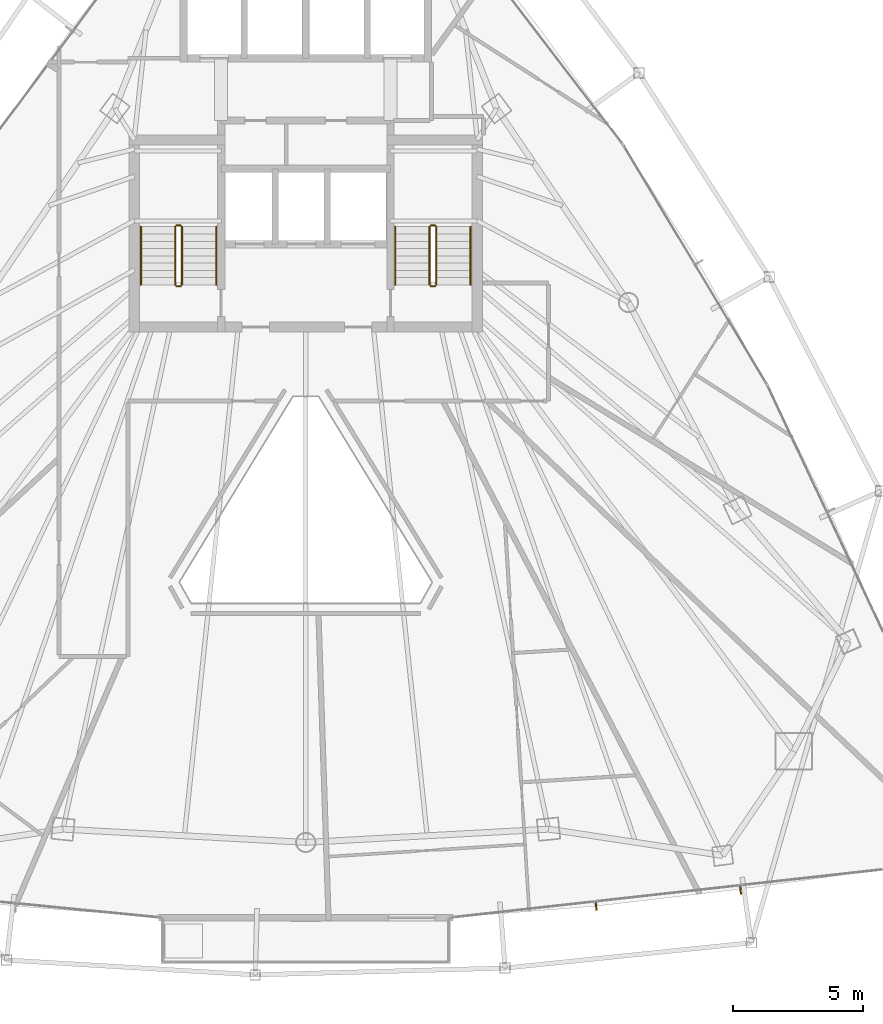
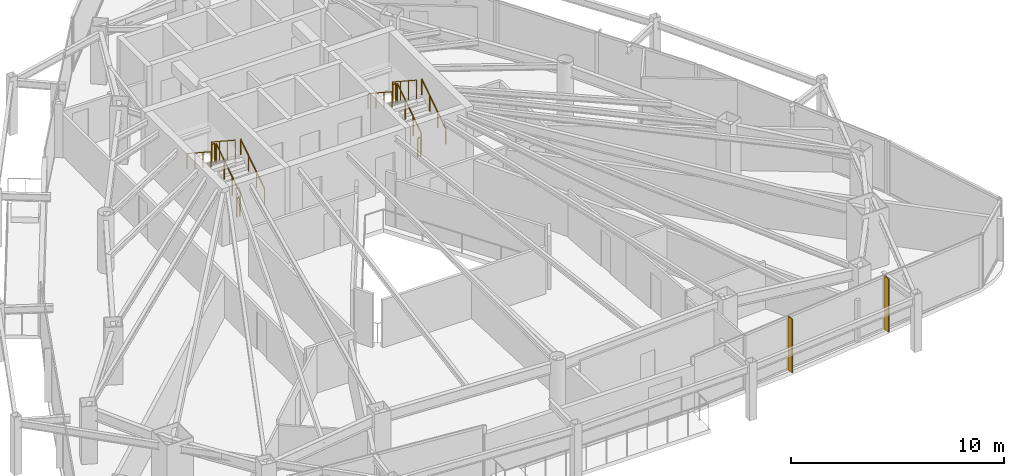
# One storey, part 28 of 29: 12 railings, 2 shading devices.
"""IFC4 building model written with IfcOpenShell, lengths in metres."""

from ifc_helpers import new_model, si_unit, direction, frame, origin, origin_2d, place, context, subcontext, project, spatial, rectangle, circle, extrude, material, layer, layer_set, type_object, element, save


model = new_model("IFC4")

# Units and contexts
model_context = context("Model", 3, precision=1e-05, world=origin(), true_north=direction((0.0, 1.0)))
body_context = subcontext(model_context, "Body", "Model", "MODEL_VIEW")
ifc_project = project(units=[si_unit("LENGTHUNIT", "METRE"), si_unit("AREAUNIT", "SQUARE_METRE"), si_unit("VOLUMEUNIT", "CUBIC_METRE"), si_unit("PLANEANGLEUNIT", "RADIAN"), si_unit("MASSUNIT", "GRAM", prefix="KILO")], contexts=[model_context])

# Site, building, storey
site_placement = place(None, origin())
site = spatial("IfcSite", under=ifc_project, at=site_placement, CompositionType="ELEMENT")
building_placement = place(site_placement, origin())
building = spatial("IfcBuilding", under=site, at=building_placement, Name="Orvanel Arch Residences", CompositionType="ELEMENT")
storey_placement = place(building_placement, frame((0.0, 0.0, 173.75)))
storey = spatial("IfcBuildingStorey", under=building, at=storey_placement, Name="L49", CompositionType="ELEMENT", Elevation=173.75)

# Shading devices
ifc_material_1 = material(Name="Bronze-anodised aluminium AA6063-T6", Category="aluminium")
ifc_layer = layer(ifc_material_1, 0.054931640625)
ifc_layer_set = layer_set([ifc_layer], Name="Bronze-anodised aluminium AA6063-T6")
shading_device_type = type_object("IfcShadingDeviceType", Name="FIN-BRZ-320", PredefinedType="USERDEFINED", material=ifc_layer_set)
for number, where, z_axis, x_axis, name in (
    (1, (44.18408203125, 4.382080078125, 0.0), (0.0, 0.0, 1.0), (0.111468932206, -0.993767919161, 0.0), "L49 Anodised Bronze Mullion FIN 01"),
    (2, (49.7490234375, 5.001953125, 0.0), (0.0, 0.0, 1.0), (0.111468932206, -0.993767919161, 0.0), "L49 Anodised Bronze Mullion FIN 02"),
):
    element("IfcShadingDevice", number, at=place(storey_placement, frame(where, z_axis=z_axis, x_axis=x_axis)), inside=storey, type_object=shading_device_type, Name=name, ObjectType="FIN", PredefinedType="USERDEFINED", context=body_context, shape_type="SweptSolid", body=[
        extrude(rectangle(XDim=0.320068359375, YDim=0.054931640625, at=origin_2d()), origin(), (0.0, 0.0, 1.0), 3.06005859375),
    ])

# Railings
ifc_material_2 = material(Name="Structural steel AS/NZS 1163 C350L0 (Grade 350)", Category="steel")
railing_type_1 = type_object("IfcRailingType", Name="RL-STAIR-GUARD", PredefinedType="GUARDRAIL", material=ifc_material_2)
railing_1_placement = place(storey_placement, frame((28.22998046875, 28.320068359375, 0.183349609375)))
element("IfcRailing", 3, at=railing_1_placement, inside=storey, type_object=railing_type_1, Name="L49 ST-1 stair guard 1", PredefinedType="GUARDRAIL", context=body_context, shape_type="SweptSolid", body=[
    extrude(circle(Radius=0.02392578125, at=origin_2d()), frame((0.0, 0.001220703125, 1.076904296875), z_axis=(0.0, 0.836636935527, 0.547757827979), x_axis=(-1.0, 0.0, 0.0)), (0.0, 0.0, 1.0), 2.67431640625),
    extrude(circle(Radius=0.02099609375, at=origin_2d()), origin(), (0.0, 0.0, 1.0), 1.050048828125),
    extrude(circle(Radius=0.02099609375, at=origin_2d()), frame((0.0, 0.74658203125, 0.48876953125)), (0.0, 0.0, 1.0), 1.050048828125),
    extrude(circle(Radius=0.02099609375, at=origin_2d()), frame((0.0, 1.493408203125, 0.977783203125)), (0.0, 0.0, 1.0), 1.050048828125),
    extrude(circle(Radius=0.02099609375, at=origin_2d()), frame((0.0, 2.239990234375, 1.466552734375)), (0.0, 0.0, 1.0), 1.050048828125),
])
railing_2_placement = place(storey_placement, frame((28.179931640625, 30.610107421875, 1.64990234375)))
element("IfcRailing", 4, at=railing_2_placement, inside=storey, type_object=railing_type_1, Name="L49 ST-1 stair guard 2", PredefinedType="GUARDRAIL", context=body_context, shape_type="SweptSolid", body=[
    extrude(circle(Radius=0.02392578125, at=origin_2d()), frame((-0.00146484375, 0.0, 1.076171875), z_axis=(-1.0, 0.0, 0.0), x_axis=(0.0, -1.0, 0.0)), (0.0, 0.0, 1.0), 0.156982421875),
    extrude(circle(Radius=0.02099609375, at=origin_2d()), origin(), (0.0, 0.0, 1.0), 1.050048828125),
    extrude(circle(Radius=0.02099609375, at=origin_2d()), frame((-0.159912109375, 0.0, 0.0)), (0.0, 0.0, 1.0), 1.050048828125),
])
railing_3_placement = place(storey_placement, frame((27.969970703125, 30.56005859375, 1.833251953125)))
element("IfcRailing", 5, at=railing_3_placement, inside=storey, type_object=railing_type_1, Name="L49 ST-1 stair guard 3", PredefinedType="GUARDRAIL", context=body_context, shape_type="SweptSolid", body=[
    extrude(circle(Radius=0.02392578125, at=origin_2d()), frame((0.0, -0.001220703125, 1.076904296875), z_axis=(0.0, -0.836595146698, 0.547821650285), x_axis=(1.0, 0.0, 0.0)), (0.0, 0.0, 1.0), 2.674560546875),
    extrude(circle(Radius=0.02099609375, at=origin_2d()), origin(), (0.0, 0.0, 1.0), 1.050048828125),
    extrude(circle(Radius=0.02099609375, at=origin_2d()), frame((0.0, -0.74658203125, 0.489013671875)), (0.0, 0.0, 1.0), 1.050048828125),
    extrude(circle(Radius=0.02099609375, at=origin_2d()), frame((0.0, -1.493408203125, 0.977783203125)), (0.0, 0.0, 1.0), 1.050048828125),
    extrude(circle(Radius=0.02099609375, at=origin_2d()), frame((0.0, -2.239990234375, 1.466796875)), (0.0, 0.0, 1.0), 1.050048828125),
])
railing_4_placement = place(storey_placement, frame((28.179931640625, 28.27001953125, 0.0)))
element("IfcRailing", 6, at=railing_4_placement, inside=storey, type_object=railing_type_1, Name="L49 ST-1 stair guard 4", PredefinedType="GUARDRAIL", context=body_context, shape_type="SweptSolid", body=[
    extrude(circle(Radius=0.02392578125, at=origin_2d()), frame((-0.00146484375, 0.0, 1.076171875), z_axis=(-1.0, 0.0, 0.0), x_axis=(0.0, -1.0, 0.0)), (0.0, 0.0, 1.0), 0.156982421875),
    extrude(circle(Radius=0.02099609375, at=origin_2d()), origin(), (0.0, 0.0, 1.0), 1.050048828125),
    extrude(circle(Radius=0.02099609375, at=origin_2d()), frame((-0.159912109375, 0.0, 0.0)), (0.0, 0.0, 1.0), 1.050048828125),
])
railing_5_placement = place(storey_placement, frame((38.030029296875, 28.320068359375, 0.183349609375)))
element("IfcRailing", 7, at=railing_5_placement, inside=storey, type_object=railing_type_1, Name="L49 ST-2 stair guard 1", PredefinedType="GUARDRAIL", context=body_context, shape_type="SweptSolid", body=[
    extrude(circle(Radius=0.02392578125, at=origin_2d()), frame((0.0, 0.001220703125, 1.076904296875), z_axis=(0.0, 0.836636935527, 0.547757827979), x_axis=(-1.0, 0.0, 0.0)), (0.0, 0.0, 1.0), 2.67431640625),
    extrude(circle(Radius=0.02099609375, at=origin_2d()), origin(), (0.0, 0.0, 1.0), 1.050048828125),
    extrude(circle(Radius=0.02099609375, at=origin_2d()), frame((0.0, 0.74658203125, 0.48876953125)), (0.0, 0.0, 1.0), 1.050048828125),
    extrude(circle(Radius=0.02099609375, at=origin_2d()), frame((0.0, 1.493408203125, 0.977783203125)), (0.0, 0.0, 1.0), 1.050048828125),
    extrude(circle(Radius=0.02099609375, at=origin_2d()), frame((0.0, 2.239990234375, 1.466552734375)), (0.0, 0.0, 1.0), 1.050048828125),
])
railing_6_placement = place(storey_placement, frame((37.97998046875, 30.610107421875, 1.64990234375)))
element("IfcRailing", 8, at=railing_6_placement, inside=storey, type_object=railing_type_1, Name="L49 ST-2 stair guard 2", PredefinedType="GUARDRAIL", context=body_context, shape_type="SweptSolid", body=[
    extrude(circle(Radius=0.02392578125, at=origin_2d()), frame((-0.00146484375, 0.0, 1.076171875), z_axis=(-1.0, 0.0, 0.0), x_axis=(0.0, -1.0, 0.0)), (0.0, 0.0, 1.0), 0.156982421875),
    extrude(circle(Radius=0.02099609375, at=origin_2d()), origin(), (0.0, 0.0, 1.0), 1.050048828125),
    extrude(circle(Radius=0.02099609375, at=origin_2d()), frame((-0.159912109375, 0.0, 0.0)), (0.0, 0.0, 1.0), 1.050048828125),
])
railing_7_placement = place(storey_placement, frame((37.77001953125, 30.56005859375, 1.833251953125)))
element("IfcRailing", 9, at=railing_7_placement, inside=storey, type_object=railing_type_1, Name="L49 ST-2 stair guard 3", PredefinedType="GUARDRAIL", context=body_context, shape_type="SweptSolid", body=[
    extrude(circle(Radius=0.02392578125, at=origin_2d()), frame((0.0, -0.001220703125, 1.076904296875), z_axis=(0.0, -0.836595146698, 0.547821650285), x_axis=(1.0, 0.0, 0.0)), (0.0, 0.0, 1.0), 2.674560546875),
    extrude(circle(Radius=0.02099609375, at=origin_2d()), origin(), (0.0, 0.0, 1.0), 1.050048828125),
    extrude(circle(Radius=0.02099609375, at=origin_2d()), frame((0.0, -0.74658203125, 0.489013671875)), (0.0, 0.0, 1.0), 1.050048828125),
    extrude(circle(Radius=0.02099609375, at=origin_2d()), frame((0.0, -1.493408203125, 0.977783203125)), (0.0, 0.0, 1.0), 1.050048828125),
    extrude(circle(Radius=0.02099609375, at=origin_2d()), frame((0.0, -2.239990234375, 1.466796875)), (0.0, 0.0, 1.0), 1.050048828125),
])
railing_8_placement = place(storey_placement, frame((37.97998046875, 28.27001953125, 0.0)))
element("IfcRailing", 10, at=railing_8_placement, inside=storey, type_object=railing_type_1, Name="L49 ST-2 stair guard 4", PredefinedType="GUARDRAIL", context=body_context, shape_type="SweptSolid", body=[
    extrude(circle(Radius=0.02392578125, at=origin_2d()), frame((-0.00146484375, 0.0, 1.076171875), z_axis=(-1.0, 0.0, 0.0), x_axis=(0.0, -1.0, 0.0)), (0.0, 0.0, 1.0), 0.156982421875),
    extrude(circle(Radius=0.02099609375, at=origin_2d()), origin(), (0.0, 0.0, 1.0), 1.050048828125),
    extrude(circle(Radius=0.02099609375, at=origin_2d()), frame((-0.159912109375, 0.0, 0.0)), (0.0, 0.0, 1.0), 1.050048828125),
])
railing_type_2 = type_object("IfcRailingType", Name="RL-STAIR-HAND", PredefinedType="HANDRAIL", material=ifc_material_2)
railing_9_placement = place(storey_placement, frame((29.550048828125, 28.320068359375, 0.183349609375)))
element("IfcRailing", 11, at=railing_9_placement, inside=storey, type_object=railing_type_2, Name="L49 ST-1 stair handrail 1", PredefinedType="HANDRAIL", context=body_context, shape_type="SweptSolid", body=[
    extrude(circle(Radius=0.02392578125, at=origin_2d()), frame((0.0, 0.001220703125, 0.876708984375), z_axis=(0.0, 0.836636935527, 0.547757827979), x_axis=(-1.0, 0.0, 0.0)), (0.0, 0.0, 1.0), 2.67431640625),
    extrude(circle(Radius=0.02099609375, at=origin_2d()), origin(), (0.0, 0.0, 1.0), 0.849853515625),
    extrude(circle(Radius=0.02099609375, at=origin_2d()), frame((0.0, 0.74658203125, 0.48876953125)), (0.0, 0.0, 1.0), 0.849853515625),
    extrude(circle(Radius=0.02099609375, at=origin_2d()), frame((0.0, 1.493408203125, 0.977783203125)), (0.0, 0.0, 1.0), 0.849853515625),
    extrude(circle(Radius=0.02099609375, at=origin_2d()), frame((0.0, 2.239990234375, 1.466552734375)), (0.0, 0.0, 1.0), 0.849853515625),
])
railing_10_placement = place(storey_placement, frame((26.64990234375, 30.56005859375, 1.833251953125)))
element("IfcRailing", 12, at=railing_10_placement, inside=storey, type_object=railing_type_2, Name="L49 ST-1 stair handrail 2", PredefinedType="HANDRAIL", context=body_context, shape_type="SweptSolid", body=[
    extrude(circle(Radius=0.02392578125, at=origin_2d()), frame((0.0, -0.001220703125, 0.876708984375), z_axis=(0.0, -0.836595146698, 0.547821650285), x_axis=(1.0, 0.0, 0.0)), (0.0, 0.0, 1.0), 2.674560546875),
    extrude(circle(Radius=0.02099609375, at=origin_2d()), origin(), (0.0, 0.0, 1.0), 0.849853515625),
    extrude(circle(Radius=0.02099609375, at=origin_2d()), frame((0.0, -0.74658203125, 0.489013671875)), (0.0, 0.0, 1.0), 0.849853515625),
    extrude(circle(Radius=0.02099609375, at=origin_2d()), frame((0.0, -1.493408203125, 0.977783203125)), (0.0, 0.0, 1.0), 0.849853515625),
    extrude(circle(Radius=0.02099609375, at=origin_2d()), frame((0.0, -2.239990234375, 1.466796875)), (0.0, 0.0, 1.0), 0.849853515625),
])
railing_11_placement = place(storey_placement, frame((39.35009765625, 28.320068359375, 0.183349609375)))
element("IfcRailing", 13, at=railing_11_placement, inside=storey, type_object=railing_type_2, Name="L49 ST-2 stair handrail 1", PredefinedType="HANDRAIL", context=body_context, shape_type="SweptSolid", body=[
    extrude(circle(Radius=0.02392578125, at=origin_2d()), frame((0.0, 0.001220703125, 0.876708984375), z_axis=(0.0, 0.836636935527, 0.547757827979), x_axis=(-1.0, 0.0, 0.0)), (0.0, 0.0, 1.0), 2.67431640625),
    extrude(circle(Radius=0.02099609375, at=origin_2d()), origin(), (0.0, 0.0, 1.0), 0.849853515625),
    extrude(circle(Radius=0.02099609375, at=origin_2d()), frame((0.0, 0.74658203125, 0.48876953125)), (0.0, 0.0, 1.0), 0.849853515625),
    extrude(circle(Radius=0.02099609375, at=origin_2d()), frame((0.0, 1.493408203125, 0.977783203125)), (0.0, 0.0, 1.0), 0.849853515625),
    extrude(circle(Radius=0.02099609375, at=origin_2d()), frame((0.0, 2.239990234375, 1.466552734375)), (0.0, 0.0, 1.0), 0.849853515625),
])
railing_12_placement = place(storey_placement, frame((36.449951171875, 30.56005859375, 1.833251953125)))
element("IfcRailing", 14, at=railing_12_placement, inside=storey, type_object=railing_type_2, Name="L49 ST-2 stair handrail 2", PredefinedType="HANDRAIL", context=body_context, shape_type="SweptSolid", body=[
    extrude(circle(Radius=0.02392578125, at=origin_2d()), frame((0.0, -0.001220703125, 0.876708984375), z_axis=(0.0, -0.836595146698, 0.547821650285), x_axis=(1.0, 0.0, 0.0)), (0.0, 0.0, 1.0), 2.674560546875),
    extrude(circle(Radius=0.02099609375, at=origin_2d()), origin(), (0.0, 0.0, 1.0), 0.849853515625),
    extrude(circle(Radius=0.02099609375, at=origin_2d()), frame((0.0, -0.74658203125, 0.489013671875)), (0.0, 0.0, 1.0), 0.849853515625),
    extrude(circle(Radius=0.02099609375, at=origin_2d()), frame((0.0, -1.493408203125, 0.977783203125)), (0.0, 0.0, 1.0), 0.849853515625),
    extrude(circle(Radius=0.02099609375, at=origin_2d()), frame((0.0, -2.239990234375, 1.466796875)), (0.0, 0.0, 1.0), 0.849853515625),
])

save(model, "model.ifc")
